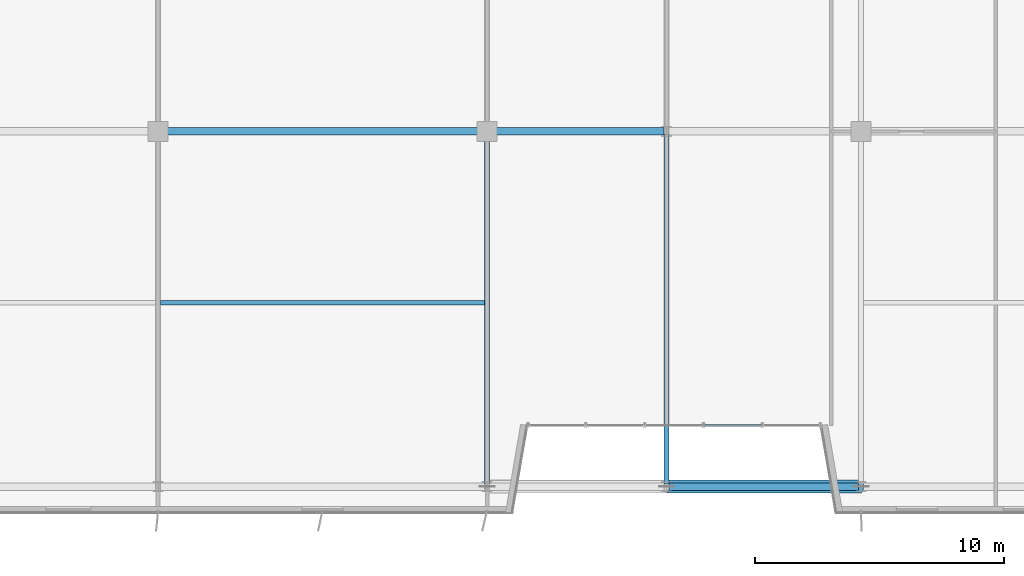
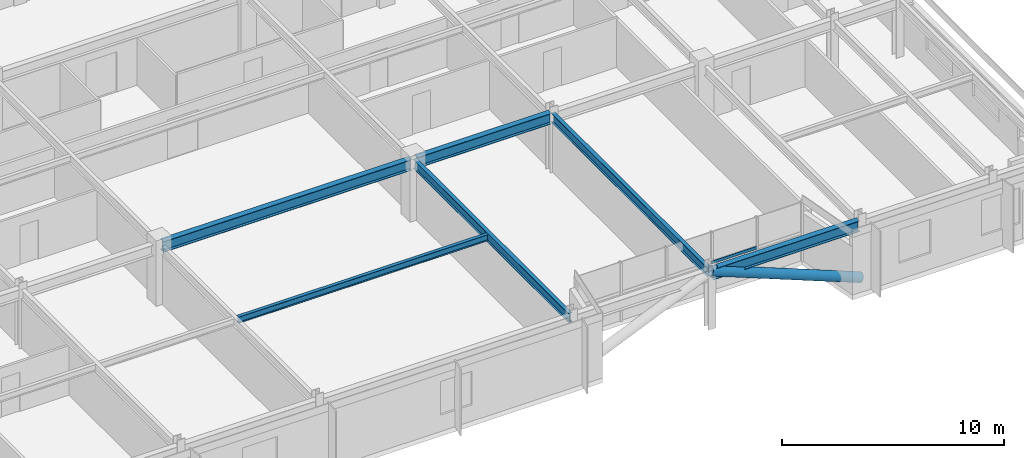
# One storey, part 7 of 26: 6 beams, 2 members, 1 element without a shape of its own.
"""IFC4 building model written with IfcOpenShell, lengths in metres."""

from ifc_helpers import new_model, si_unit, direction, frame, origin, origin_2d, place, context, subcontext, project, spatial, hollow_rectangle, hollow_circle, i_section, extrude, source, transform, mapped, material, material_profile, profile_set, type_object, element, aggregate, save


model = new_model("IFC4")

# Units and contexts
model_context = context("Model", 3, precision=1e-05, world=origin(), true_north=direction((0.0, 1.0)))
body_context = subcontext(model_context, "Body", "Model", "MODEL_VIEW")
ifc_project = project(units=[si_unit("LENGTHUNIT", "METRE"), si_unit("AREAUNIT", "SQUARE_METRE"), si_unit("VOLUMEUNIT", "CUBIC_METRE"), si_unit("PLANEANGLEUNIT", "RADIAN"), si_unit("MASSUNIT", "GRAM", prefix="KILO")], contexts=[model_context])

# Site, building, storey
site_placement = place(None, origin())
site = spatial("IfcSite", under=ifc_project, at=site_placement, CompositionType="ELEMENT")
building_placement = place(site_placement, origin())
building = spatial("IfcBuilding", under=site, at=building_placement, Name="Trelvane Seafront Commons", CompositionType="ELEMENT")
storey_placement = place(building_placement, frame((0.0, 0.0, 128.5)))
storey = spatial("IfcBuildingStorey", under=building, at=storey_placement, Name="L33", CompositionType="ELEMENT", Elevation=128.5)

# Beams
ifc_material_1 = material(Name="Steel SM355 (S355)", Category="steel")
ifc_material_profile_1 = material_profile(ifc_material_1, i_section(OverallWidth=0.300048828125, OverallDepth=0.587890625, WebThickness=0.011962890625, FlangeThickness=0.02001953125, at=origin_2d()), Name="H-588x300x12x20")
ifc_profile_set_1 = profile_set([ifc_material_profile_1], Name="Steel SM355 (S355)")
beam_type_1 = type_object("IfcBeamType", Name="STR-BM-H588", PredefinedType="BEAM", material=ifc_profile_set_1)
shared_shape_1 = source(origin(), body_context, "Body", "SweptSolid", [
    extrude(i_section(OverallWidth=0.300048828125, OverallDepth=0.587890625, WebThickness=0.011962890625, FlangeThickness=0.02001953125, at=origin_2d()), origin(), (0.0, 0.0, 1.0), 7.599853515625),
])
beam_1_placement = place(storey_placement, frame((51.10009765625, 3.949951171875, 2.926025390625), z_axis=(1.0, 0.0, 0.0), x_axis=(0.0, 1.0, 0.0)))
element("IfcBeam", 1, at=beam_1_placement, inside=storey, type_object=beam_type_1, Name="L33 Primary Girder G-07", PredefinedType="BEAM", context=body_context, shape_type="MappedRepresentation", body=[
    mapped(shared_shape_1, transform((0.0, 0.0, 0.0), x_axis=(1.0, 0.0, 0.0), y_axis=(0.0, 1.0, 0.0), z_axis=(0.0, 0.0, 1.0), scale=1.0)),
])
shared_shape_2 = source(origin(), body_context, "Body", "SweptSolid", [
    extrude(i_section(OverallWidth=0.300048828125, OverallDepth=0.587890625, WebThickness=0.011962890625, FlangeThickness=0.02001953125, at=origin_2d()), origin(), (0.0, 0.0, 1.0), 6.949951171875),
])
beam_2_placement = place(storey_placement, frame((43.949951171875, 18.199951171875, 2.926025390625), z_axis=(1.0, 0.0, 0.0), x_axis=(0.0, 1.0, 0.0)))
element("IfcBeam", 2, at=beam_2_placement, inside=storey, type_object=beam_type_1, Name="L33 Primary Girder G-15", PredefinedType="BEAM", context=body_context, shape_type="MappedRepresentation", body=[
    mapped(shared_shape_2, transform((0.0, 0.0, 0.0), x_axis=(1.0, 0.0, 0.0), y_axis=(0.0, 1.0, 0.0), z_axis=(0.0, 0.0, 1.0), scale=1.0)),
])
shared_shape_3 = source(origin(), body_context, "Body", "SweptSolid", [
    extrude(i_section(OverallWidth=0.300048828125, OverallDepth=0.587890625, WebThickness=0.011962890625, FlangeThickness=0.02001953125, at=origin_2d()), origin(), (0.0, 0.0, 1.0), 12.89990234375),
])
beam_3_placement = place(storey_placement, frame((30.75, 18.199951171875, 2.926025390625), z_axis=(1.0, 0.0, 0.0), x_axis=(0.0, 1.0, 0.0)))
element("IfcBeam", 3, at=beam_3_placement, inside=storey, type_object=beam_type_1, Name="L33 Primary Girder G-14", PredefinedType="BEAM", context=body_context, shape_type="MappedRepresentation", body=[
    mapped(shared_shape_3, transform((0.0, 0.0, 0.0), x_axis=(1.0, 0.0, 0.0), y_axis=(0.0, 1.0, 0.0), z_axis=(0.0, 0.0, 1.0), scale=1.0)),
])
ifc_material_profile_2 = material_profile(ifc_material_1, i_section(OverallWidth=0.199951171875, OverallDepth=0.5, WebThickness=0.010009765625, FlangeThickness=0.01611328125, at=origin_2d()), Name="H-500x200x10x16")
ifc_profile_set_2 = profile_set([ifc_material_profile_2], Name="Steel SM355 (S355)")
beam_type_2 = type_object("IfcBeamType", Name="STR-BM-H500", PredefinedType="BEAM", material=ifc_profile_set_2)
shared_shape_4 = source(origin(), body_context, "Body", "SweptSolid", [
    extrude(i_section(OverallWidth=0.199951171875, OverallDepth=0.5, WebThickness=0.010009765625, FlangeThickness=0.01611328125, at=origin_2d()), origin(), (0.0, 0.0, 1.0), 14.050048828125),
])
beam_4_placement = place(storey_placement, frame((51.0, 4.050048828125, 2.969970703125), z_axis=(0.0, 1.0, 0.0), x_axis=(-1.0, 0.0, 0.0)))
element("IfcBeam", 4, at=beam_4_placement, inside=storey, type_object=beam_type_2, Name="L33 Primary Girder G-55", PredefinedType="BEAM", context=body_context, shape_type="MappedRepresentation", body=[
    mapped(shared_shape_4, transform((0.0, 0.0, 0.0), x_axis=(1.0, 0.0, 0.0), y_axis=(0.0, 1.0, 0.0), z_axis=(0.0, 0.0, 1.0), scale=1.0)),
])
shared_shape_5 = source(origin(), body_context, "Body", "SweptSolid", [
    extrude(i_section(OverallWidth=0.199951171875, OverallDepth=0.5, WebThickness=0.010009765625, FlangeThickness=0.01611328125, at=origin_2d()), origin(), (0.0, 0.0, 1.0), 14.0),
])
beam_5_placement = place(storey_placement, frame((43.800048828125, 4.050048828125, 2.969970703125), z_axis=(0.0, 1.0, 0.0), x_axis=(-1.0, 0.0, 0.0)))
element("IfcBeam", 5, at=beam_5_placement, inside=storey, type_object=beam_type_2, Name="L33 Primary Girder G-52", PredefinedType="BEAM", context=body_context, shape_type="MappedRepresentation", body=[
    mapped(shared_shape_5, transform((0.0, 0.0, 0.0), x_axis=(1.0, 0.0, 0.0), y_axis=(0.0, 1.0, 0.0), z_axis=(0.0, 0.0, 1.0), scale=1.0)),
])
ifc_material_profile_3 = material_profile(ifc_material_1, i_section(OverallWidth=0.175048828125, OverallDepth=0.35009765625, WebThickness=0.007080078125, FlangeThickness=0.010986328125, at=origin_2d()), Name="H-350x175x7x11")
ifc_profile_set_3 = profile_set([ifc_material_profile_3], Name="Steel SM355 (S355)")
beam_type_3 = type_object("IfcBeamType", Name="STR-JST-H350", PredefinedType="JOIST", material=ifc_profile_set_3)
shared_shape_6 = source(origin(), body_context, "Body", "SweptSolid", [
    extrude(i_section(OverallWidth=0.175048828125, OverallDepth=0.35009765625, WebThickness=0.007080078125, FlangeThickness=0.010986328125, at=origin_2d()), origin(), (0.0, 0.0, 1.0), 13.0),
])
beam_6_placement = place(storey_placement, frame((30.699951171875, 11.324951171875, 3.044921875), z_axis=(1.0, 0.0, 0.0), x_axis=(0.0, 1.0, 0.0)))
element("IfcBeam", 6, at=beam_6_placement, inside=storey, type_object=beam_type_3, Name="L33 Secondary Floor Joist B-71", PredefinedType="JOIST", context=body_context, shape_type="MappedRepresentation", body=[
    mapped(shared_shape_6, transform((0.0, 0.0, 0.0), x_axis=(1.0, 0.0, 0.0), y_axis=(0.0, 1.0, 0.0), z_axis=(0.0, 0.0, 1.0), scale=1.0)),
])

# Member
ifc_material_profile_4 = material_profile(ifc_material_1, hollow_circle(Radius=0.25390625, WallThickness=0.02001953125, at=origin_2d()), Name="CHS-508x20")
ifc_profile_set_4 = profile_set([ifc_material_profile_4], Name="Steel SM355 (S355)")
member_type_1 = type_object("IfcMemberType", Name="STR-STR-CHS508", PredefinedType="STRUT", material=ifc_profile_set_4)
shared_shape_7 = source(origin(), body_context, "Body", "SweptSolid", [
    extrude(hollow_circle(Radius=0.25390625, WallThickness=0.02001953125, at=origin_2d()), origin(), (0.0, 0.0, 1.0), 8.3935546875),
])
member_1_placement = place(storey_placement, frame((58.800048828125, 3.949951171875, 0.0), z_axis=(-0.929292877594, 0.0, 0.369343671467), x_axis=(0.0, -1.0, 0.0)))
element("IfcMember", 7, at=member_1_placement, inside=storey, type_object=member_type_1, Name="L33 Sky-Garden V-Chevron Brace SGV-E", PredefinedType="STRUT", context=body_context, shape_type="MappedRepresentation", body=[
    mapped(shared_shape_7, transform((0.0, 0.0, 0.0), x_axis=(1.0, 0.0, 0.0), y_axis=(0.0, 1.0, 0.0), z_axis=(0.0, 0.0, 1.0), scale=1.0)),
])

# Curtain wall, member
ifc_material_2 = material(Name="Anodised pale-silver aluminium", Category="aluminium")
curtain_wall_type = type_object("IfcCurtainWallType", Name="ARCH-CW3-PORTAL", PredefinedType="NOTDEFINED", material=ifc_material_2)
curtain_wall_placement = place(storey_placement, origin())
curtain_wall = element("IfcCurtainWall", 8, at=curtain_wall_placement, inside=storey, type_object=curtain_wall_type, Name="CW-L33-VN-0060", PredefinedType="NOTDEFINED")
ifc_material_profile_5 = material_profile(ifc_material_2, hollow_rectangle(XDim=0.080078125, YDim=0.159912109375, WallThickness=0.00439453125, at=origin_2d()), Name="TRAN-80x160x4.5")
ifc_profile_set_5 = profile_set([ifc_material_profile_5], Name="Anodised pale-silver aluminium")
member_type_2 = type_object("IfcMemberType", Name="ARCH-CW-TRAN-160", PredefinedType="USERDEFINED", material=ifc_profile_set_5)
shared_shape_8 = source(origin(), body_context, "Body", "SweptSolid", [
    extrude(hollow_rectangle(XDim=0.080078125, YDim=0.159912109375, WallThickness=0.00439453125, at=origin_2d()), origin(), (0.0, 0.0, 1.0), 2.3359375),
])
member_2_placement = place(storey_placement, frame((54.827880859375, 6.39990234375, 1.5458984375), z_axis=(-1.0, 0.0, 0.0), x_axis=(0.0, -1.0, 0.0)))
member_2 = element("IfcMember", 9, at=member_2_placement, type_object=member_type_2, Name="CW-L33-VN-0060-T01", ObjectType="TRANSOM", PredefinedType="USERDEFINED", context=body_context, shape_type="MappedRepresentation", body=[
    mapped(shared_shape_8, transform((0.0, 0.0, 0.0), x_axis=(1.0, 0.0, 0.0), y_axis=(0.0, 1.0, 0.0), z_axis=(0.0, 0.0, 1.0), scale=1.0)),
])
aggregate(curtain_wall, [member_2])

save(model, "model.ifc")
